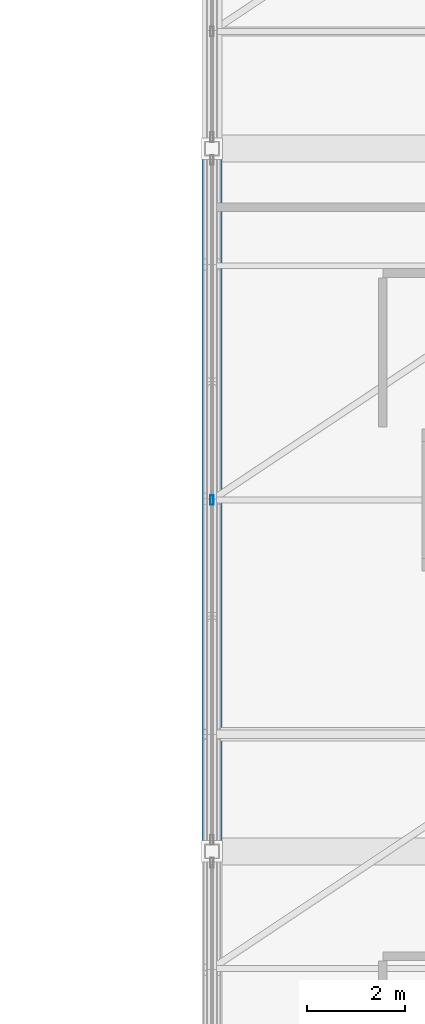
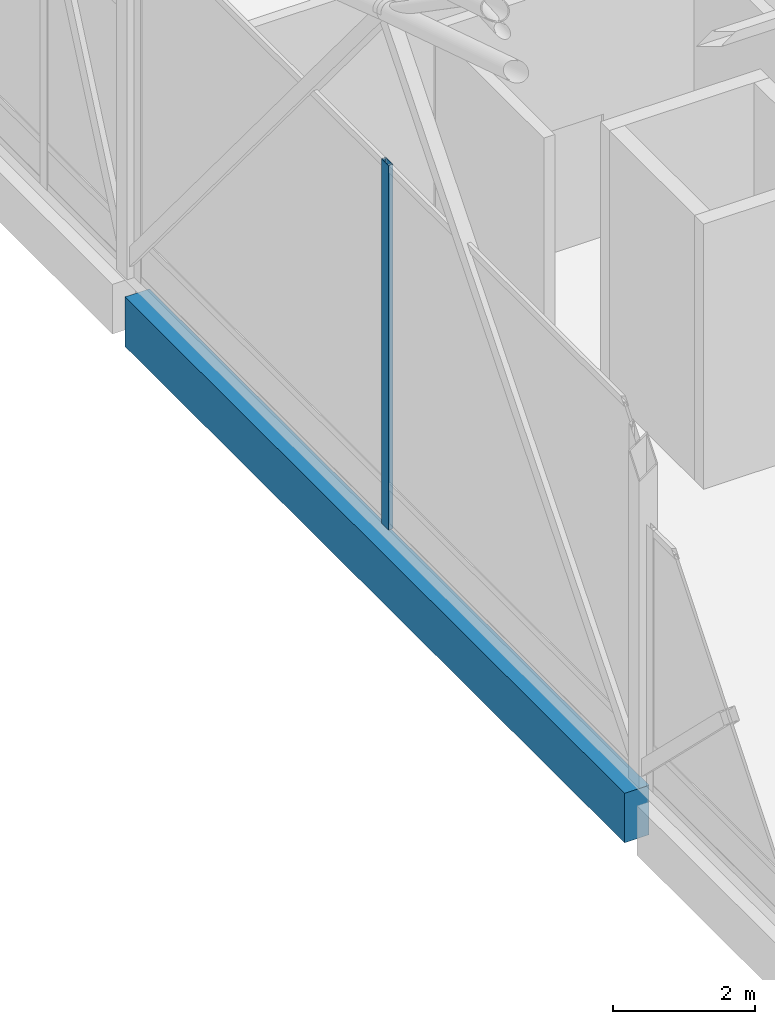
# One storey, part 45 of 116: 1 beam, 1 member, 1 element without a shape of its own.
"""IFC4 building model written with IfcOpenShell, lengths in metres."""

from ifc_helpers import new_model, si_unit, direction, frame, origin, origin_2d, place, context, subcontext, project, spatial, rectangle, hollow_rectangle, extrude, material, material_profile, profile_set, type_object, element, aggregate, save


model = new_model("IFC4")

# Units and contexts
model_context = context("Model", 3, precision=1e-05, world=origin(), true_north=direction((0.0, 1.0)))
body_context = subcontext(model_context, "Body", "Model", "MODEL_VIEW")
ifc_project = project(units=[si_unit("LENGTHUNIT", "METRE"), si_unit("AREAUNIT", "SQUARE_METRE"), si_unit("VOLUMEUNIT", "CUBIC_METRE"), si_unit("PLANEANGLEUNIT", "RADIAN"), si_unit("MASSUNIT", "GRAM", prefix="KILO")], contexts=[model_context])

# Site, building, storey
site_placement = place(None, origin())
site = spatial("IfcSite", under=ifc_project, at=site_placement, CompositionType="ELEMENT")
building_placement = place(site_placement, origin())
building = spatial("IfcBuilding", under=site, at=building_placement, Name="Cendralis Lancet Convention Centre", CompositionType="ELEMENT")
storey_placement = place(building_placement, frame((0.0, 0.0, 15.0)))
storey = spatial("IfcBuildingStorey", under=building, at=storey_placement, Name="L03", CompositionType="ELEMENT", Elevation=15.0)

# Curtain wall, member
ifc_material_1 = material(Name="Anodised bronze architectural aluminium", Category="aluminium")
curtain_wall_type = type_object("IfcCurtainWallType", Name="ARC-CW-PL02", PredefinedType="USERDEFINED", material=ifc_material_1)
curtain_wall_placement = place(storey_placement, origin())
curtain_wall = element("IfcCurtainWall", 1, at=curtain_wall_placement, inside=storey, type_object=curtain_wall_type, Name="L03 Curtain Wall CW-PL2 #138", ObjectType="CURTAIN WALL", PredefinedType="USERDEFINED")
ifc_material_profile_1 = material_profile(ifc_material_1, hollow_rectangle(XDim=0.070068359375, YDim=0.199951171875, WallThickness=0.0048828125, at=origin_2d()), Name="AL-MULL 70x200x5.0")
ifc_profile_set_1 = profile_set([ifc_material_profile_1], Name="Anodised bronze architectural aluminium")
member_type = type_object("IfcMemberType", Name="ARC-CW-ML02", PredefinedType="MULLION", material=ifc_profile_set_1)
member_placement = place(storey_placement, frame((139.199951171875, 72.0, 0.0), z_axis=(0.0, 0.0, 1.0), x_axis=(1.0, 0.0, 0.0)))
member = element("IfcMember", 2, at=member_placement, type_object=member_type, Name="Mullion CW2-CW-PL2-L03-138-M1", PredefinedType="MULLION", context=body_context, shape_type="SweptSolid", body=[
    extrude(hollow_rectangle(XDim=0.070068359375, YDim=0.199951171875, WallThickness=0.0048828125, at=origin_2d()), origin(), (0.0, 0.0, 1.0), 6.2548828125),
])
aggregate(curtain_wall, [member])

# Beam
ifc_material_2 = material(Name="Concrete G40 (C40/50)", Category="concrete")
ifc_material_profile_2 = material_profile(ifc_material_2, rectangle(XDim=0.39990234375, YDim=0.85009765625, at=origin_2d()), Name="RCB 400x850")
ifc_profile_set_2 = profile_set([ifc_material_profile_2], Name="Concrete G40 (C40/50)")
beam_type = type_object("IfcBeamType", Name="STR-SP-SP02", PredefinedType="SPANDREL", material=ifc_profile_set_2)
beam_placement = place(storey_placement, frame((139.199951171875, 64.97509765625, -0.68505859375), z_axis=(0.0, 1.0, 0.0), x_axis=(-1.0, 0.0, 0.0)))
element("IfcBeam", 3, at=beam_placement, inside=storey, type_object=beam_type, Name="L03 Beam SP02 #1534", PredefinedType="SPANDREL", context=body_context, shape_type="SweptSolid", body=[
    extrude(rectangle(XDim=0.39990234375, YDim=0.85009765625, at=origin_2d()), origin(), (0.0, 0.0, 1.0), 14.0498046875),
])

save(model, "model.ifc")
